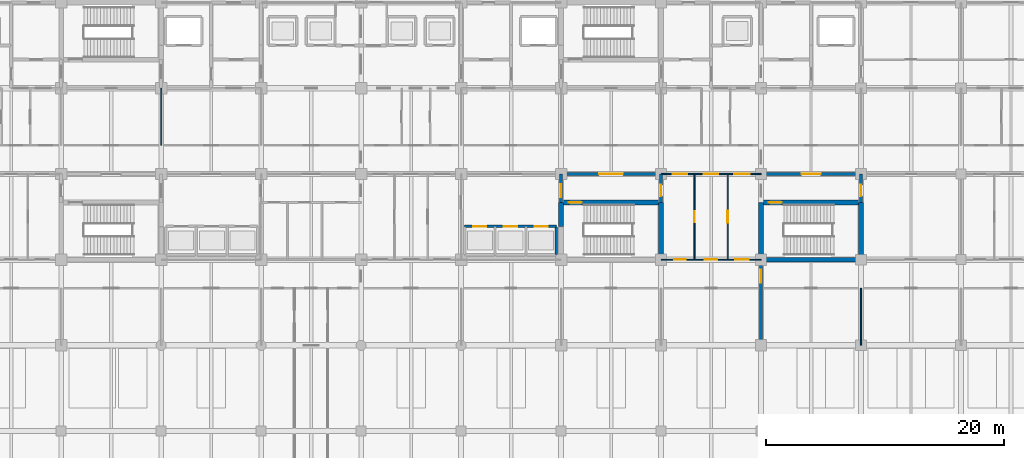
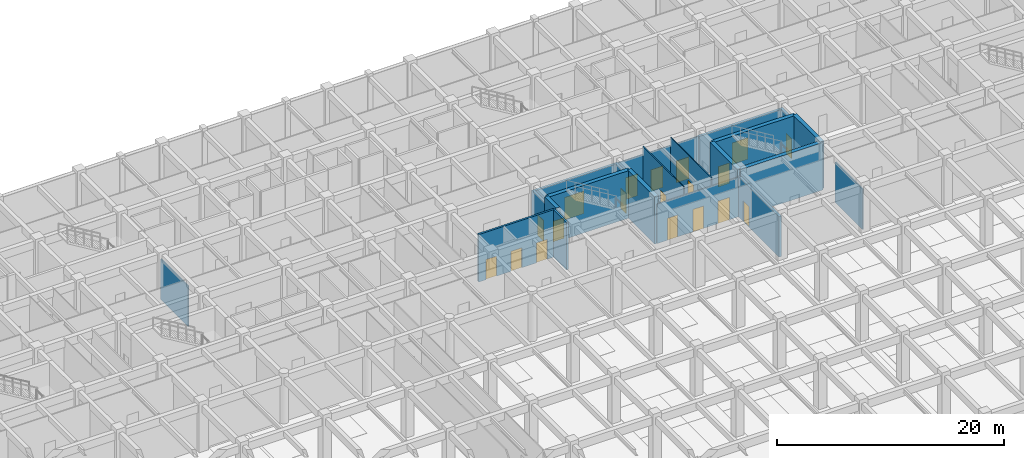
# One storey, part 28 of 48: 21 walls, 19 doors, 19 openings.
"""IFC4 building model written with IfcOpenShell, lengths in metres."""

from ifc_helpers import new_model, si_unit, direction, frame, frame_2d, origin, place, context, subcontext, project, spatial, rectangle, extrude, material, layer, layer_set, type_object, element, fill, save


model = new_model("IFC4")

# Units and contexts
model_context = context("Model", 3, precision=1e-05, world=origin(), true_north=direction((0.0, 1.0)))
body_context = subcontext(model_context, "Body", "Model", "MODEL_VIEW")
ifc_project = project(units=[si_unit("LENGTHUNIT", "METRE"), si_unit("AREAUNIT", "SQUARE_METRE"), si_unit("VOLUMEUNIT", "CUBIC_METRE"), si_unit("PLANEANGLEUNIT", "RADIAN"), si_unit("MASSUNIT", "GRAM", prefix="KILO")], contexts=[model_context])

# Site, building, storey
site_placement = place(None, origin())
site = spatial("IfcSite", under=ifc_project, at=site_placement, CompositionType="ELEMENT")
building_placement = place(site_placement, origin())
building = spatial("IfcBuilding", under=site, at=building_placement, Name="Chengyuan Square Courthouse", CompositionType="ELEMENT")
storey_placement = place(building_placement, frame((0.0, 0.0, -5.39990234375)))
storey = spatial("IfcBuildingStorey", under=building, at=storey_placement, Name="B01", CompositionType="ELEMENT", Elevation=-5.39990234375)

# Wall, opening, door
ifc_material_1 = material(Name="Concrete C40", Category="concrete")
ifc_layer_1 = layer(ifc_material_1, 0.25)
ifc_layer_set_1 = layer_set([ifc_layer_1], Name="Concrete C40")
wall_type_1 = type_object("IfcWallType", Name="WL-FW1", PredefinedType="STANDARD", material=ifc_layer_set_1)
wall_1_placement = place(storey_placement, frame((100.800048828125, 93.60009765625, 0.0), z_axis=(0.0, 0.0, 1.0), x_axis=(1.0, 0.0, 0.0)))
wall_1 = element("IfcWall", 1, at=wall_1_placement, inside=storey, type_object=wall_type_1, Name="Interior Wall WL-B01-I343", PredefinedType="STANDARD", context=body_context, shape_type="SweptSolid", body=[
    extrude(rectangle(XDim=8.39990234375, YDim=0.25, at=frame_2d((4.199951171875, 0.0))), origin(), (0.0, 0.0, 1.0), 4.25),
])
opening_1_placement = place(wall_1_placement, frame((3.199951171875, 0.0, 0.0)))
opening_1 = element("IfcOpeningElement", 2, at=opening_1_placement, cuts=wall_1, Name="Opening DR-355", PredefinedType="OPENING", context=body_context, shape_type="SweptSolid", body=[
    extrude(rectangle(XDim=2.0, YDim=2.39990234375, at=frame_2d((1.0, 1.199951171875))), frame((0.0, 0.136962890625, 0.0), z_axis=(0.0, -1.0, 0.0), x_axis=(1.0, 0.0, 0.0)), (0.0, 0.0, 1.0), 0.27392578125),
])
ifc_material_2 = material(Name="Steel Q235B Glazed Fire Door", Category="steel")
door_type_1 = type_object("IfcDoorType", Name="DT-20", OperationType="DOUBLE_DOOR_SINGLE_SWING", PredefinedType="DOOR", material=ifc_material_2)
door_1_placement = place(opening_1_placement, frame((2.0, 0.0, 0.0), z_axis=(0.0, 0.0, 1.0), x_axis=(-1.0, 0.0, 0.0)))
door_1 = element("IfcDoor", 3, at=door_1_placement, inside=storey, type_object=door_type_1, Name="Interior Door DR-355", OperationType="DOUBLE_DOOR_SINGLE_SWING", OverallHeight=2.39990234375, OverallWidth=2.0, PredefinedType="DOOR", context=body_context, shape_type="SweptSolid", body=[
    extrude(rectangle(XDim=2.0, YDim=2.39990234375, at=frame_2d((1.0, 1.199951171875))), frame((0.0, 0.02490234375, 0.0), z_axis=(0.0, -1.0, 0.0), x_axis=(1.0, 0.0, 0.0)), (0.0, 0.0, 1.0), 0.050048828125),
])
fill(opening_1, door_1)

wall_2_placement = place(storey_placement, frame((117.60009765625, 93.60009765625, 0.0), z_axis=(0.0, 0.0, 1.0), x_axis=(1.0, 0.0, 0.0)))
wall_2 = element("IfcWall", 4, at=wall_2_placement, inside=storey, type_object=wall_type_1, Name="Interior Wall WL-B01-I345", PredefinedType="STANDARD", context=body_context, shape_type="SweptSolid", body=[
    extrude(rectangle(XDim=8.39990234375, YDim=0.25, at=frame_2d((4.199951171875, 0.0))), origin(), (0.0, 0.0, 1.0), 4.25),
])
opening_2_placement = place(wall_2_placement, frame((3.41259765625, 0.0, 0.0)))
opening_2 = element("IfcOpeningElement", 5, at=opening_2_placement, cuts=wall_2, Name="Opening DR-360", PredefinedType="OPENING", context=body_context, shape_type="SweptSolid", body=[
    extrude(rectangle(XDim=1.60009765625, YDim=2.300048828125, at=frame_2d((0.800048828125, 1.14990234375))), frame((0.0, 0.136962890625, 0.0), z_axis=(0.0, -1.0, 0.0), x_axis=(1.0, 0.0, 0.0)), (0.0, 0.0, 1.0), 0.27392578125),
])
door_type_2 = type_object("IfcDoorType", Name="DT-17", OperationType="DOUBLE_DOOR_SINGLE_SWING", PredefinedType="DOOR", material=ifc_material_2)
door_2_placement = place(opening_2_placement, frame((1.60009765625, 0.0, 0.0), z_axis=(0.0, 0.0, 1.0), x_axis=(-1.0, 0.0, 0.0)))
door_2 = element("IfcDoor", 6, at=door_2_placement, inside=storey, type_object=door_type_2, Name="Interior Door DR-360", OperationType="DOUBLE_DOOR_SINGLE_SWING", OverallHeight=2.300048828125, OverallWidth=1.60009765625, PredefinedType="DOOR", context=body_context, shape_type="SweptSolid", body=[
    extrude(rectangle(XDim=1.60009765625, YDim=2.300048828125, at=frame_2d((0.800048828125, 1.14990234375))), frame((0.0, 0.02490234375, 0.0), z_axis=(0.0, -1.0, 0.0), x_axis=(1.0, 0.0, 0.0)), (0.0, 0.0, 1.0), 0.050048828125),
])
fill(opening_2, door_2)

wall_3_placement = place(storey_placement, frame((100.800048828125, 91.199951171875, 0.0), z_axis=(0.0, 0.0, 1.0), x_axis=(0.0, 1.0, 0.0)))
wall_3 = element("IfcWall", 7, at=wall_3_placement, inside=storey, type_object=wall_type_1, Name="Interior Wall WL-B01-I553", PredefinedType="STANDARD", context=body_context, shape_type="SweptSolid", body=[
    extrude(rectangle(XDim=2.400146484375, YDim=0.25, at=frame_2d((1.2001953125, 0.0))), origin(), (0.0, 0.0, 1.0), 4.349853515625),
])
opening_3_placement = place(wall_3_placement, frame((0.452392578125, 0.0, 0.0)))
opening_3 = element("IfcOpeningElement", 8, at=opening_3_placement, cuts=wall_3, Name="Opening DR-354", PredefinedType="OPENING", context=body_context, shape_type="SweptSolid", body=[
    extrude(rectangle(XDim=1.10009765625, YDim=2.199951171875, at=frame_2d((0.550048828125, 1.10009765625))), frame((0.0, 0.136962890625, 0.0), z_axis=(0.0, -1.0, 0.0), x_axis=(1.0, 0.0, 0.0)), (0.0, 0.0, 1.0), 0.27392578125),
])
ifc_material_3 = material(Name="Steel Q235B Fire Door", Category="steel")
door_type_3 = type_object("IfcDoorType", Name="DT-10", OperationType="NOTDEFINED", PredefinedType="DOOR", material=ifc_material_3)
door_3_placement = place(opening_3_placement, origin())
door_3 = element("IfcDoor", 9, at=door_3_placement, inside=storey, type_object=door_type_3, Name="Interior Door DR-354", OperationType="SINGLE_SWING_RIGHT", OverallHeight=2.199951171875, OverallWidth=1.10009765625, PredefinedType="DOOR", context=body_context, shape_type="SweptSolid", body=[
    extrude(rectangle(XDim=1.10009765625, YDim=2.199951171875, at=frame_2d((0.550048828125, 1.10009765625))), frame((0.0, 0.02490234375, 0.0), z_axis=(0.0, -1.0, 0.0), x_axis=(1.0, 0.0, 0.0)), (0.0, 0.0, 1.0), 0.050048828125),
])
fill(opening_3, door_3)

wall_4_placement = place(storey_placement, frame((109.199951171875, 91.199951171875, 0.0), z_axis=(0.0, 0.0, 1.0), x_axis=(0.0, 1.0, 0.0)))
wall_4 = element("IfcWall", 10, at=wall_4_placement, inside=storey, type_object=wall_type_1, Name="Interior Wall WL-B01-I561", PredefinedType="STANDARD", context=body_context, shape_type="SweptSolid", body=[
    extrude(rectangle(XDim=2.400146484375, YDim=0.25, at=frame_2d((1.2001953125, 0.0))), origin(), (0.0, 0.0, 1.0), 4.349853515625),
])
opening_4_placement = place(wall_4_placement, frame((0.527587890625, 0.0, 0.0)))
opening_4 = element("IfcOpeningElement", 11, at=opening_4_placement, cuts=wall_4, Name="Opening DR-356", PredefinedType="OPENING", context=body_context, shape_type="SweptSolid", body=[
    extrude(rectangle(XDim=0.949951171875, YDim=2.14990234375, at=frame_2d((0.47509765625, 1.074951171875))), frame((0.0, 0.136962890625, 0.0), z_axis=(0.0, -1.0, 0.0), x_axis=(1.0, 0.0, 0.0)), (0.0, 0.0, 1.0), 0.27392578125),
])
door_type_4 = type_object("IfcDoorType", Name="DT-12", OperationType="NOTDEFINED", PredefinedType="DOOR", material=ifc_material_3)
door_4_placement = place(opening_4_placement, origin())
door_4 = element("IfcDoor", 12, at=door_4_placement, inside=storey, type_object=door_type_4, Name="Interior Door DR-356", OperationType="SINGLE_SWING_LEFT", OverallHeight=2.14990234375, OverallWidth=0.949951171875, PredefinedType="DOOR", context=body_context, shape_type="SweptSolid", body=[
    extrude(rectangle(XDim=0.949951171875, YDim=2.14990234375, at=frame_2d((0.47509765625, 1.074951171875))), frame((0.0, 0.02490234375, 0.0), z_axis=(0.0, -1.0, 0.0), x_axis=(1.0, 0.0, 0.0)), (0.0, 0.0, 1.0), 0.050048828125),
])
fill(opening_4, door_4)

wall_5_placement = place(storey_placement, frame((117.60009765625, 79.199951171875, 0.0), z_axis=(0.0, 0.0, 1.0), x_axis=(0.0, 1.0, 0.0)))
wall_5 = element("IfcWall", 13, at=wall_5_placement, inside=storey, type_object=wall_type_1, Name="Interior Wall WL-B01-I574", PredefinedType="STANDARD", context=body_context, shape_type="SweptSolid", body=[
    extrude(rectangle(XDim=7.199951171875, YDim=0.25, at=frame_2d((3.60009765625, 0.0))), origin(), (0.0, 0.0, 1.0), 4.349853515625),
])
opening_5_placement = place(wall_5_placement, frame((5.25244140625, 0.0, 0.0)))
opening_5 = element("IfcOpeningElement", 14, at=opening_5_placement, cuts=wall_5, Name="Opening DR-627", PredefinedType="OPENING", context=body_context, shape_type="SweptSolid", body=[
    extrude(rectangle(XDim=1.10009765625, YDim=2.199951171875, at=frame_2d((0.550048828125, 1.10009765625))), frame((0.0, 0.136962890625, 0.0), z_axis=(0.0, -1.0, 0.0), x_axis=(1.0, 0.0, 0.0)), (0.0, 0.0, 1.0), 0.27392578125),
])
door_5_placement = place(opening_5_placement, origin())
door_5 = element("IfcDoor", 15, at=door_5_placement, inside=storey, type_object=door_type_3, Name="Interior Door DR-627", OperationType="SINGLE_SWING_RIGHT", OverallHeight=2.199951171875, OverallWidth=1.10009765625, PredefinedType="DOOR", context=body_context, shape_type="SweptSolid", body=[
    extrude(rectangle(XDim=1.10009765625, YDim=2.199951171875, at=frame_2d((0.550048828125, 1.10009765625))), frame((0.0, 0.02490234375, 0.0), z_axis=(0.0, -1.0, 0.0), x_axis=(1.0, 0.0, 0.0)), (0.0, 0.0, 1.0), 0.050048828125),
])
fill(opening_5, door_5)

wall_6_placement = place(storey_placement, frame((126.0, 91.199951171875, 0.0), z_axis=(0.0, 0.0, 1.0), x_axis=(0.0, 1.0, 0.0)))
wall_6 = element("IfcWall", 16, at=wall_6_placement, inside=storey, type_object=wall_type_1, Name="Interior Wall WL-B01-I585", PredefinedType="STANDARD", context=body_context, shape_type="SweptSolid", body=[
    extrude(rectangle(XDim=2.400146484375, YDim=0.25, at=frame_2d((1.2001953125, 0.0))), origin(), (0.0, 0.0, 1.0), 4.349853515625),
])
opening_6_placement = place(wall_6_placement, frame((0.5400390625, 0.0, 0.0)))
opening_6 = element("IfcOpeningElement", 17, at=opening_6_placement, cuts=wall_6, Name="Opening DR-362", PredefinedType="OPENING", context=body_context, shape_type="SweptSolid", body=[
    extrude(rectangle(XDim=0.949951171875, YDim=2.14990234375, at=frame_2d((0.47509765625, 1.074951171875))), frame((0.0, 0.136962890625, 0.0), z_axis=(0.0, -1.0, 0.0), x_axis=(1.0, 0.0, 0.0)), (0.0, 0.0, 1.0), 0.27392578125),
])
door_6_placement = place(opening_6_placement, origin())
door_6 = element("IfcDoor", 18, at=door_6_placement, inside=storey, type_object=door_type_4, Name="Interior Door DR-362", OperationType="SINGLE_SWING_LEFT", OverallHeight=2.14990234375, OverallWidth=0.949951171875, PredefinedType="DOOR", context=body_context, shape_type="SweptSolid", body=[
    extrude(rectangle(XDim=0.949951171875, YDim=2.14990234375, at=frame_2d((0.47509765625, 1.074951171875))), frame((0.0, 0.02490234375, 0.0), z_axis=(0.0, -1.0, 0.0), x_axis=(1.0, 0.0, 0.0)), (0.0, 0.0, 1.0), 0.050048828125),
])
fill(opening_6, door_6)

# Wall, openings, doors
ifc_material_4 = material(Name="Gypsum Plasterboard Acoustic Stud Partition")
ifc_layer_2 = layer(ifc_material_4, 0.10009765625)
ifc_layer_set_2 = layer_set([ifc_layer_2], Name="Gypsum Plasterboard Acoustic Stud Partition")
wall_type_2 = type_object("IfcWallType", Name="WL-PT6", PredefinedType="STANDARD", material=ifc_layer_set_2)
wall_7_placement = place(storey_placement, frame((109.199951171875, 86.39990234375, 0.0), z_axis=(0.0, 0.0, 1.0), x_axis=(1.0, 0.0, 0.0)))
wall_7 = element("IfcWall", 19, at=wall_7_placement, inside=storey, type_object=wall_type_2, Name="Interior Wall WL-B01-I316", PredefinedType="STANDARD", context=body_context, shape_type="SweptSolid", body=[
    extrude(rectangle(XDim=8.400146484375, YDim=0.10009765625, at=frame_2d((4.2001953125, 0.0))), origin(), (0.0, 0.0, 1.0), 4.25),
])
opening_7_placement = place(wall_7_placement, frame((1.107421875, 0.0, 0.0)))
opening_7 = element("IfcOpeningElement", 20, at=opening_7_placement, cuts=wall_7, Name="Opening DR-574", PredefinedType="OPENING", context=body_context, shape_type="SweptSolid", body=[
    extrude(rectangle(XDim=0.97998046875, YDim=2.35009765625, at=frame_2d((0.489990234375, 1.175048828125))), frame((0.0, 0.06201171875, 0.0), z_axis=(0.0, -1.0, 0.0), x_axis=(1.0, 0.0, 0.0)), (0.0, 0.0, 1.0), 0.1240234375),
])
opening_8_placement = place(wall_7_placement, frame((3.669921875, 0.0, 0.0)))
opening_8 = element("IfcOpeningElement", 21, at=opening_8_placement, cuts=wall_7, Name="Opening DR-576", PredefinedType="OPENING", context=body_context, shape_type="SweptSolid", body=[
    extrude(rectangle(XDim=1.06005859375, YDim=2.39990234375, at=frame_2d((0.530029296875, 1.199951171875))), frame((0.0, 0.06201171875, 0.0), z_axis=(0.0, -1.0, 0.0), x_axis=(1.0, 0.0, 0.0)), (0.0, 0.0, 1.0), 0.1240234375),
])
opening_9_placement = place(wall_7_placement, frame((6.232421875, 0.0, 0.0)))
opening_9 = element("IfcOpeningElement", 22, at=opening_9_placement, cuts=wall_7, Name="Opening DR-577", PredefinedType="OPENING", context=body_context, shape_type="SweptSolid", body=[
    extrude(rectangle(XDim=1.139892578125, YDim=2.39990234375, at=frame_2d((0.56982421875, 1.199951171875))), frame((0.0, 0.06201171875, 0.0), z_axis=(0.0, -1.0, 0.0), x_axis=(1.0, 0.0, 0.0)), (0.0, 0.0, 1.0), 0.1240234375),
])
ifc_material_5 = material(Name="Acoustic Solid-Core Timber Door", Category="wood")
door_type_5 = type_object("IfcDoorType", Name="DT-40", OperationType="NOTDEFINED", PredefinedType="DOOR", material=ifc_material_5)
door_7_placement = place(opening_7_placement, origin())
door_7 = element("IfcDoor", 23, at=door_7_placement, inside=storey, type_object=door_type_5, Name="Interior Door DR-574", OperationType="SINGLE_SWING_LEFT", OverallHeight=2.35009765625, OverallWidth=0.97998046875, PredefinedType="DOOR", context=body_context, shape_type="SweptSolid", body=[
    extrude(rectangle(XDim=0.97998046875, YDim=2.35009765625, at=frame_2d((0.489990234375, 1.175048828125))), frame((0.0, 0.02490234375, 0.0), z_axis=(0.0, -1.0, 0.0), x_axis=(1.0, 0.0, 0.0)), (0.0, 0.0, 1.0), 0.050048828125),
])
fill(opening_7, door_7)
door_type_6 = type_object("IfcDoorType", Name="DT-42", OperationType="NOTDEFINED", PredefinedType="DOOR", material=ifc_material_5)
door_8_placement = place(opening_8_placement, origin())
door_8 = element("IfcDoor", 24, at=door_8_placement, inside=storey, type_object=door_type_6, Name="Interior Door DR-576", OperationType="SINGLE_SWING_LEFT", OverallHeight=2.39990234375, OverallWidth=1.06005859375, PredefinedType="DOOR", context=body_context, shape_type="SweptSolid", body=[
    extrude(rectangle(XDim=1.06005859375, YDim=2.39990234375, at=frame_2d((0.530029296875, 1.199951171875))), frame((0.0, 0.02490234375, 0.0), z_axis=(0.0, -1.0, 0.0), x_axis=(1.0, 0.0, 0.0)), (0.0, 0.0, 1.0), 0.050048828125),
])
fill(opening_8, door_8)
door_type_7 = type_object("IfcDoorType", Name="DT-43", OperationType="NOTDEFINED", PredefinedType="DOOR", material=ifc_material_5)
door_9_placement = place(opening_9_placement, origin())
door_9 = element("IfcDoor", 25, at=door_9_placement, inside=storey, type_object=door_type_7, Name="Interior Door DR-577", OperationType="SINGLE_SWING_RIGHT", OverallHeight=2.39990234375, OverallWidth=1.139892578125, PredefinedType="DOOR", context=body_context, shape_type="SweptSolid", body=[
    extrude(rectangle(XDim=1.139892578125, YDim=2.39990234375, at=frame_2d((0.56982421875, 1.199951171875))), frame((0.0, 0.02490234375, 0.0), z_axis=(0.0, -1.0, 0.0), x_axis=(1.0, 0.0, 0.0)), (0.0, 0.0, 1.0), 0.050048828125),
])
fill(opening_9, door_9)

wall_8_placement = place(storey_placement, frame((109.199951171875, 93.60009765625, 0.0), z_axis=(0.0, 0.0, 1.0), x_axis=(1.0, 0.0, 0.0)))
wall_8 = element("IfcWall", 26, at=wall_8_placement, inside=storey, type_object=wall_type_2, Name="Interior Wall WL-B01-I344", PredefinedType="STANDARD", context=body_context, shape_type="SweptSolid", body=[
    extrude(rectangle(XDim=8.400146484375, YDim=0.10009765625, at=frame_2d((4.2001953125, 0.0))), origin(), (0.0, 0.0, 1.0), 4.25),
])
opening_10_placement = place(wall_8_placement, frame((0.99755859375, 0.0, 0.0)))
opening_10 = element("IfcOpeningElement", 27, at=opening_10_placement, cuts=wall_8, Name="Opening DR-519", PredefinedType="OPENING", context=body_context, shape_type="SweptSolid", body=[
    extrude(rectangle(XDim=1.199951171875, YDim=2.35009765625, at=frame_2d((0.60009765625, 1.175048828125))), frame((0.0, 0.06201171875, 0.0), z_axis=(0.0, -1.0, 0.0), x_axis=(1.0, 0.0, 0.0)), (0.0, 0.0, 1.0), 0.1240234375),
])
opening_11_placement = place(wall_8_placement, frame((3.580078125, 0.0, 0.0)))
opening_11 = element("IfcOpeningElement", 28, at=opening_11_placement, cuts=wall_8, Name="Opening DR-520", PredefinedType="OPENING", context=body_context, shape_type="SweptSolid", body=[
    extrude(rectangle(XDim=1.239990234375, YDim=2.300048828125, at=frame_2d((0.6201171875, 1.14990234375))), frame((0.0, 0.06201171875, 0.0), z_axis=(0.0, -1.0, 0.0), x_axis=(1.0, 0.0, 0.0)), (0.0, 0.0, 1.0), 0.1240234375),
])
opening_12_placement = place(wall_8_placement, frame((6.16259765625, 0.0, 0.0)))
opening_12 = element("IfcOpeningElement", 29, at=opening_12_placement, cuts=wall_8, Name="Opening DR-521", PredefinedType="OPENING", context=body_context, shape_type="SweptSolid", body=[
    extrude(rectangle(XDim=1.280029296875, YDim=2.35009765625, at=frame_2d((0.64013671875, 1.175048828125))), frame((0.0, 0.06201171875, 0.0), z_axis=(0.0, -1.0, 0.0), x_axis=(1.0, 0.0, 0.0)), (0.0, 0.0, 1.0), 0.1240234375),
])
door_type_8 = type_object("IfcDoorType", Name="DT-36", OperationType="NOTDEFINED", PredefinedType="DOOR", material=ifc_material_5)
door_10_placement = place(opening_10_placement, origin())
door_10 = element("IfcDoor", 30, at=door_10_placement, inside=storey, type_object=door_type_8, Name="Interior Door DR-519", OperationType="SINGLE_SWING_LEFT", OverallHeight=2.35009765625, OverallWidth=1.199951171875, PredefinedType="DOOR", context=body_context, shape_type="SweptSolid", body=[
    extrude(rectangle(XDim=1.199951171875, YDim=2.35009765625, at=frame_2d((0.60009765625, 1.175048828125))), frame((0.0, 0.02490234375, 0.0), z_axis=(0.0, -1.0, 0.0), x_axis=(1.0, 0.0, 0.0)), (0.0, 0.0, 1.0), 0.050048828125),
])
fill(opening_10, door_10)
door_type_9 = type_object("IfcDoorType", Name="DT-37", OperationType="NOTDEFINED", PredefinedType="DOOR", material=ifc_material_5)
door_11_placement = place(opening_11_placement, origin())
door_11 = element("IfcDoor", 31, at=door_11_placement, inside=storey, type_object=door_type_9, Name="Interior Door DR-520", OperationType="SINGLE_SWING_RIGHT", OverallHeight=2.300048828125, OverallWidth=1.239990234375, PredefinedType="DOOR", context=body_context, shape_type="SweptSolid", body=[
    extrude(rectangle(XDim=1.239990234375, YDim=2.300048828125, at=frame_2d((0.6201171875, 1.14990234375))), frame((0.0, 0.02490234375, 0.0), z_axis=(0.0, -1.0, 0.0), x_axis=(1.0, 0.0, 0.0)), (0.0, 0.0, 1.0), 0.050048828125),
])
fill(opening_11, door_11)
door_type_10 = type_object("IfcDoorType", Name="DT-38", OperationType="NOTDEFINED", PredefinedType="DOOR", material=ifc_material_5)
door_12_placement = place(opening_12_placement, origin())
door_12 = element("IfcDoor", 32, at=door_12_placement, inside=storey, type_object=door_type_10, Name="Interior Door DR-521", OperationType="SINGLE_SWING_LEFT", OverallHeight=2.35009765625, OverallWidth=1.280029296875, PredefinedType="DOOR", context=body_context, shape_type="SweptSolid", body=[
    extrude(rectangle(XDim=1.280029296875, YDim=2.35009765625, at=frame_2d((0.64013671875, 1.175048828125))), frame((0.0, 0.02490234375, 0.0), z_axis=(0.0, -1.0, 0.0), x_axis=(1.0, 0.0, 0.0)), (0.0, 0.0, 1.0), 0.050048828125),
])
fill(opening_12, door_12)

# Wall
wall_9_placement = place(storey_placement, frame((67.199951171875, 96.0, 0.0), z_axis=(0.0, 0.0, 1.0), x_axis=(0.0, 1.0, 0.0)))
element("IfcWall", 33, at=wall_9_placement, inside=storey, type_object=wall_type_2, Name="Interior Wall WL-B01-I495", PredefinedType="STANDARD", context=body_context, shape_type="SweptSolid", body=[
    extrude(rectangle(XDim=4.800048828125, YDim=0.10009765625, at=frame_2d((2.39990234375, 0.0))), origin(), (0.0, 0.0, 1.0), 4.349853515625),
])

# Wall, opening, door
wall_10_placement = place(storey_placement, frame((112.0, 86.39990234375, 0.0), z_axis=(0.0, 0.0, 1.0), x_axis=(0.0, 1.0, 0.0)))
wall_10 = element("IfcWall", 34, at=wall_10_placement, inside=storey, type_object=wall_type_2, Name="Interior Wall WL-B01-I566", PredefinedType="STANDARD", context=body_context, shape_type="SweptSolid", body=[
    extrude(rectangle(XDim=7.2001953125, YDim=0.10009765625, at=frame_2d((3.60009765625, 0.0))), origin(), (0.0, 0.0, 1.0), 5.099853515625),
])
opening_13_placement = place(wall_10_placement, frame((3.1298828125, 0.0, 0.0)))
opening_13 = element("IfcOpeningElement", 35, at=opening_13_placement, cuts=wall_10, Name="Opening DR-573", PredefinedType="OPENING", context=body_context, shape_type="SweptSolid", body=[
    extrude(rectangle(XDim=0.93994140625, YDim=2.300048828125, at=frame_2d((0.469970703125, 1.14990234375))), frame((0.0, 0.06201171875, 0.0), z_axis=(0.0, -1.0, 0.0), x_axis=(1.0, 0.0, 0.0)), (0.0, 0.0, 1.0), 0.1240234375),
])
door_type_11 = type_object("IfcDoorType", Name="DT-39", OperationType="NOTDEFINED", PredefinedType="DOOR", material=ifc_material_5)
door_13_placement = place(opening_13_placement, origin())
door_13 = element("IfcDoor", 36, at=door_13_placement, inside=storey, type_object=door_type_11, Name="Interior Door DR-573", OperationType="SINGLE_SWING_RIGHT", OverallHeight=2.300048828125, OverallWidth=0.93994140625, PredefinedType="DOOR", context=body_context, shape_type="SweptSolid", body=[
    extrude(rectangle(XDim=0.93994140625, YDim=2.300048828125, at=frame_2d((0.469970703125, 1.14990234375))), frame((0.0, 0.02490234375, 0.0), z_axis=(0.0, -1.0, 0.0), x_axis=(1.0, 0.0, 0.0)), (0.0, 0.0, 1.0), 0.050048828125),
])
fill(opening_13, door_13)

wall_11_placement = place(storey_placement, frame((114.800048828125, 86.39990234375, 0.0), z_axis=(0.0, 0.0, 1.0), x_axis=(0.0, 1.0, 0.0)))
wall_11 = element("IfcWall", 37, at=wall_11_placement, inside=storey, type_object=wall_type_2, Name="Interior Wall WL-B01-I571", PredefinedType="STANDARD", context=body_context, shape_type="SweptSolid", body=[
    extrude(rectangle(XDim=7.2001953125, YDim=0.10009765625, at=frame_2d((3.60009765625, 0.0))), origin(), (0.0, 0.0, 1.0), 5.099853515625),
])
opening_14_placement = place(wall_11_placement, frame((3.090087890625, 0.0, 0.0)))
opening_14 = element("IfcOpeningElement", 38, at=opening_14_placement, cuts=wall_11, Name="Opening DR-575", PredefinedType="OPENING", context=body_context, shape_type="SweptSolid", body=[
    extrude(rectangle(XDim=1.02001953125, YDim=2.39990234375, at=frame_2d((0.510009765625, 1.199951171875))), frame((0.0, 0.06201171875, 0.0), z_axis=(0.0, -1.0, 0.0), x_axis=(1.0, 0.0, 0.0)), (0.0, 0.0, 1.0), 0.1240234375),
])
door_type_12 = type_object("IfcDoorType", Name="DT-41", OperationType="NOTDEFINED", PredefinedType="DOOR", material=ifc_material_5)
door_14_placement = place(opening_14_placement, origin())
door_14 = element("IfcDoor", 39, at=door_14_placement, inside=storey, type_object=door_type_12, Name="Interior Door DR-575", OperationType="SINGLE_SWING_RIGHT", OverallHeight=2.39990234375, OverallWidth=1.02001953125, PredefinedType="DOOR", context=body_context, shape_type="SweptSolid", body=[
    extrude(rectangle(XDim=1.02001953125, YDim=2.39990234375, at=frame_2d((0.510009765625, 1.199951171875))), frame((0.0, 0.02490234375, 0.0), z_axis=(0.0, -1.0, 0.0), x_axis=(1.0, 0.0, 0.0)), (0.0, 0.0, 1.0), 0.050048828125),
])
fill(opening_14, door_14)

# Wall
wall_12_placement = place(storey_placement, frame((126.0, 79.199951171875, 0.0), z_axis=(0.0, 0.0, 1.0), x_axis=(0.0, 1.0, 0.0)))
element("IfcWall", 40, at=wall_12_placement, inside=storey, type_object=wall_type_2, Name="Interior Wall WL-B01-I583", PredefinedType="STANDARD", context=body_context, shape_type="SweptSolid", body=[
    extrude(rectangle(XDim=4.800048828125, YDim=0.10009765625, at=frame_2d((2.39990234375, 0.0))), origin(), (0.0, 0.0, 1.0), 4.349853515625),
])

# Wall, openings, doors
ifc_material_6 = material(Name="Reinforced Masonry Shaft Enclosure", Category="masonry")
ifc_layer_3 = layer(ifc_material_6, 0.199951171875)
ifc_layer_set_3 = layer_set([ifc_layer_3], Name="Reinforced Masonry Shaft Enclosure")
wall_type_3 = type_object("IfcWallType", Name="WL-SH1", PredefinedType="STANDARD", material=ifc_layer_set_3)
wall_13_placement = place(storey_placement, frame((92.699951171875, 89.199951171875, 0.0), z_axis=(0.0, 0.0, 1.0), x_axis=(1.0, 0.0, 0.0)))
wall_13 = element("IfcWall", 41, at=wall_13_placement, inside=storey, type_object=wall_type_3, Name="Interior Wall WL-B01-I328", PredefinedType="STANDARD", context=body_context, shape_type="SweptSolid", body=[
    extrude(rectangle(XDim=7.699951171875, YDim=0.199951171875, at=frame_2d((3.85009765625, 0.0))), origin(), (0.0, 0.0, 1.0), 5.099853515625),
])
opening_15_placement = place(wall_13_placement, frame((0.72509765625, 0.0, 0.0)))
opening_15 = element("IfcOpeningElement", 42, at=opening_15_placement, cuts=wall_13, Name="Opening LD-016", PredefinedType="OPENING", context=body_context, shape_type="SweptSolid", body=[
    extrude(rectangle(XDim=1.10009765625, YDim=2.14990234375, at=frame_2d((0.550048828125, 1.074951171875))), frame((0.0, 0.112060546875, 0.0), z_axis=(0.0, -1.0, 0.0), x_axis=(1.0, 0.0, 0.0)), (0.0, 0.0, 1.0), 0.223876953125),
])
opening_16_placement = place(wall_13_placement, frame((3.300048828125, 0.0, 0.0)))
opening_16 = element("IfcOpeningElement", 43, at=opening_16_placement, cuts=wall_13, Name="Opening LD-017", PredefinedType="OPENING", context=body_context, shape_type="SweptSolid", body=[
    extrude(rectangle(XDim=1.10009765625, YDim=2.14990234375, at=frame_2d((0.550048828125, 1.074951171875))), frame((0.0, 0.112060546875, 0.0), z_axis=(0.0, -1.0, 0.0), x_axis=(1.0, 0.0, 0.0)), (0.0, 0.0, 1.0), 0.223876953125),
])
opening_17_placement = place(wall_13_placement, frame((5.875, 0.0, 0.0)))
opening_17 = element("IfcOpeningElement", 44, at=opening_17_placement, cuts=wall_13, Name="Opening LD-018", PredefinedType="OPENING", context=body_context, shape_type="SweptSolid", body=[
    extrude(rectangle(XDim=1.10009765625, YDim=2.14990234375, at=frame_2d((0.550048828125, 1.074951171875))), frame((0.0, 0.112060546875, 0.0), z_axis=(0.0, -1.0, 0.0), x_axis=(1.0, 0.0, 0.0)), (0.0, 0.0, 1.0), 0.223876953125),
])
ifc_material_7 = material(Name="Stainless Steel S30408 Lift Landing Door", Category="steel")
door_type_13 = type_object("IfcDoorType", Name="DT-06", OperationType="DOUBLE_DOOR_SLIDING", PredefinedType="DOOR", material=ifc_material_7)
door_15_placement = place(opening_15_placement, origin())
door_15 = element("IfcDoor", 45, at=door_15_placement, inside=storey, type_object=door_type_13, Name="Lift Landing Door LF-P4 B01", OperationType="DOUBLE_DOOR_SLIDING", OverallHeight=2.14990234375, OverallWidth=1.10009765625, PredefinedType="DOOR", context=body_context, shape_type="SweptSolid", body=[
    extrude(rectangle(XDim=1.10009765625, YDim=2.14990234375, at=frame_2d((0.550048828125, 1.074951171875))), frame((0.0, 0.02490234375, 0.0), z_axis=(0.0, -1.0, 0.0), x_axis=(1.0, 0.0, 0.0)), (0.0, 0.0, 1.0), 0.050048828125),
])
fill(opening_15, door_15)
door_16_placement = place(opening_16_placement, origin())
door_16 = element("IfcDoor", 46, at=door_16_placement, inside=storey, type_object=door_type_13, Name="Lift Landing Door LF-P5 B01", OperationType="DOUBLE_DOOR_SLIDING", OverallHeight=2.14990234375, OverallWidth=1.10009765625, PredefinedType="DOOR", context=body_context, shape_type="SweptSolid", body=[
    extrude(rectangle(XDim=1.10009765625, YDim=2.14990234375, at=frame_2d((0.550048828125, 1.074951171875))), frame((0.0, 0.02490234375, 0.0), z_axis=(0.0, -1.0, 0.0), x_axis=(1.0, 0.0, 0.0)), (0.0, 0.0, 1.0), 0.050048828125),
])
fill(opening_16, door_16)
door_17_placement = place(opening_17_placement, origin())
door_17 = element("IfcDoor", 47, at=door_17_placement, inside=storey, type_object=door_type_13, Name="Lift Landing Door LF-P6 B01", OperationType="DOUBLE_DOOR_SLIDING", OverallHeight=2.14990234375, OverallWidth=1.10009765625, PredefinedType="DOOR", context=body_context, shape_type="SweptSolid", body=[
    extrude(rectangle(XDim=1.10009765625, YDim=2.14990234375, at=frame_2d((0.550048828125, 1.074951171875))), frame((0.0, 0.02490234375, 0.0), z_axis=(0.0, -1.0, 0.0), x_axis=(1.0, 0.0, 0.0)), (0.0, 0.0, 1.0), 0.050048828125),
])
fill(opening_17, door_17)

# Walls
wall_14_placement = place(storey_placement, frame((100.39990234375, 86.85009765625, 0.0), z_axis=(0.0, 0.0, 1.0), x_axis=(0.0, 1.0, 0.0)))
element("IfcWall", 48, at=wall_14_placement, inside=storey, type_object=wall_type_3, Name="Interior Wall WL-B01-I548", PredefinedType="STANDARD", context=body_context, shape_type="SweptSolid", body=[
    extrude(rectangle(XDim=2.2998046875, YDim=0.199951171875, at=frame_2d((1.14990234375, 0.0))), origin(), (0.0, 0.0, 1.0), 5.099853515625),
])
ifc_material_8 = material(Name="Concrete C50", Category="concrete")
ifc_layer_4 = layer(ifc_material_8, 0.39990234375)
ifc_layer_set_4 = layer_set([ifc_layer_4], Name="Concrete C50")
wall_type_4 = type_object("IfcWallType", Name="WL-SW1", PredefinedType="SHEAR", material=ifc_layer_set_4)
wall_15_placement = place(storey_placement, frame((117.60009765625, 86.39990234375, 0.0), z_axis=(0.0, 0.0, 1.0), x_axis=(1.0, 0.0, 0.0)))
element("IfcWall", 49, at=wall_15_placement, inside=storey, type_object=wall_type_4, Name="Interior Wall WL-B01-I317", PredefinedType="SHEAR", context=body_context, shape_type="SweptSolid", body=[
    extrude(rectangle(XDim=8.39990234375, YDim=0.39990234375, at=frame_2d((4.199951171875, 0.0))), origin(), (0.0, 0.0, 1.0), 5.099853515625),
])

# Wall, opening, door
wall_16_placement = place(storey_placement, frame((100.800048828125, 91.199951171875, 0.0), z_axis=(0.0, 0.0, 1.0), x_axis=(1.0, 0.0, 0.0)))
wall_16 = element("IfcWall", 50, at=wall_16_placement, inside=storey, type_object=wall_type_4, Name="Interior Wall WL-B01-I333", PredefinedType="SHEAR", context=body_context, shape_type="SweptSolid", body=[
    extrude(rectangle(XDim=8.39990234375, YDim=0.39990234375, at=frame_2d((4.199951171875, 0.0))), origin(), (0.0, 0.0, 1.0), 5.099853515625),
])
opening_18_placement = place(wall_16_placement, frame((0.64990234375, 0.0, 0.0)))
opening_18 = element("IfcOpeningElement", 51, at=opening_18_placement, cuts=wall_16, Name="Opening DR-338", PredefinedType="OPENING", context=body_context, shape_type="SweptSolid", body=[
    extrude(rectangle(XDim=1.10009765625, YDim=2.199951171875, at=frame_2d((0.550048828125, 1.10009765625))), frame((0.0, 0.2119140625, 0.0), z_axis=(0.0, -1.0, 0.0), x_axis=(1.0, 0.0, 0.0)), (0.0, 0.0, 1.0), 0.423828125),
])
door_18_placement = place(opening_18_placement, frame((1.10009765625, 0.0, 0.0), z_axis=(0.0, 0.0, 1.0), x_axis=(-1.0, 0.0, 0.0)))
door_18 = element("IfcDoor", 52, at=door_18_placement, inside=storey, type_object=door_type_3, Name="Smoke-Proof Stairwell Fire Door ST-4 DR-338", OperationType="SINGLE_SWING_LEFT", OverallHeight=2.199951171875, OverallWidth=1.10009765625, PredefinedType="DOOR", context=body_context, shape_type="SweptSolid", body=[
    extrude(rectangle(XDim=1.10009765625, YDim=2.199951171875, at=frame_2d((0.550048828125, 1.10009765625))), frame((0.0, 0.02490234375, 0.0), z_axis=(0.0, -1.0, 0.0), x_axis=(1.0, 0.0, 0.0)), (0.0, 0.0, 1.0), 0.050048828125),
])
fill(opening_18, door_18)

wall_17_placement = place(storey_placement, frame((117.60009765625, 91.199951171875, 0.0), z_axis=(0.0, 0.0, 1.0), x_axis=(1.0, 0.0, 0.0)))
wall_17 = element("IfcWall", 53, at=wall_17_placement, inside=storey, type_object=wall_type_4, Name="Interior Wall WL-B01-I334", PredefinedType="SHEAR", context=body_context, shape_type="SweptSolid", body=[
    extrude(rectangle(XDim=8.39990234375, YDim=0.39990234375, at=frame_2d((4.199951171875, 0.0))), origin(), (0.0, 0.0, 1.0), 5.099853515625),
])
opening_19_placement = place(wall_17_placement, frame((0.64990234375, 0.0, 0.0)))
opening_19 = element("IfcOpeningElement", 54, at=opening_19_placement, cuts=wall_17, Name="Opening DR-340", PredefinedType="OPENING", context=body_context, shape_type="SweptSolid", body=[
    extrude(rectangle(XDim=1.10009765625, YDim=2.199951171875, at=frame_2d((0.550048828125, 1.10009765625))), frame((0.0, 0.2119140625, 0.0), z_axis=(0.0, -1.0, 0.0), x_axis=(1.0, 0.0, 0.0)), (0.0, 0.0, 1.0), 0.423828125),
])
door_19_placement = place(opening_19_placement, frame((1.10009765625, 0.0, 0.0), z_axis=(0.0, 0.0, 1.0), x_axis=(-1.0, 0.0, 0.0)))
door_19 = element("IfcDoor", 55, at=door_19_placement, inside=storey, type_object=door_type_3, Name="Smoke-Proof Stairwell Fire Door ST-6 DR-340", OperationType="SINGLE_SWING_LEFT", OverallHeight=2.199951171875, OverallWidth=1.10009765625, PredefinedType="DOOR", context=body_context, shape_type="SweptSolid", body=[
    extrude(rectangle(XDim=1.10009765625, YDim=2.199951171875, at=frame_2d((0.550048828125, 1.10009765625))), frame((0.0, 0.02490234375, 0.0), z_axis=(0.0, -1.0, 0.0), x_axis=(1.0, 0.0, 0.0)), (0.0, 0.0, 1.0), 0.050048828125),
])
fill(opening_19, door_19)

# Walls
wall_18_placement = place(storey_placement, frame((100.800048828125, 89.199951171875, 0.0), z_axis=(0.0, 0.0, 1.0), x_axis=(0.0, 1.0, 0.0)))
element("IfcWall", 56, at=wall_18_placement, inside=storey, type_object=wall_type_4, Name="Interior Wall WL-B01-I552", PredefinedType="SHEAR", context=body_context, shape_type="SweptSolid", body=[
    extrude(rectangle(XDim=2.0, YDim=0.39990234375, at=frame_2d((1.0, 0.0))), origin(), (0.0, 0.0, 1.0), 5.099853515625),
])
for number, where, z_axis, x_axis, name in (
    (57, (109.199951171875, 86.39990234375, 0.0), (0.0, 0.0, 1.0), (0.0, 1.0, 0.0), "Interior Wall WL-B01-I560"),
    (58, (117.60009765625, 86.39990234375, 0.0), (0.0, 0.0, 1.0), (0.0, 1.0, 0.0), "Interior Wall WL-B01-I575"),
    (59, (126.0, 86.39990234375, 0.0), (0.0, 0.0, 1.0), (0.0, 1.0, 0.0), "Interior Wall WL-B01-I584"),
):
    element("IfcWall", number, at=place(storey_placement, frame(where, z_axis=z_axis, x_axis=x_axis)), inside=storey, type_object=wall_type_4, Name=name, PredefinedType="SHEAR", context=body_context, shape_type="SweptSolid", body=[
        extrude(rectangle(XDim=4.800048828125, YDim=0.39990234375, at=frame_2d((2.39990234375, 0.0))), origin(), (0.0, 0.0, 1.0), 5.099853515625),
    ])

save(model, "model.ifc")
